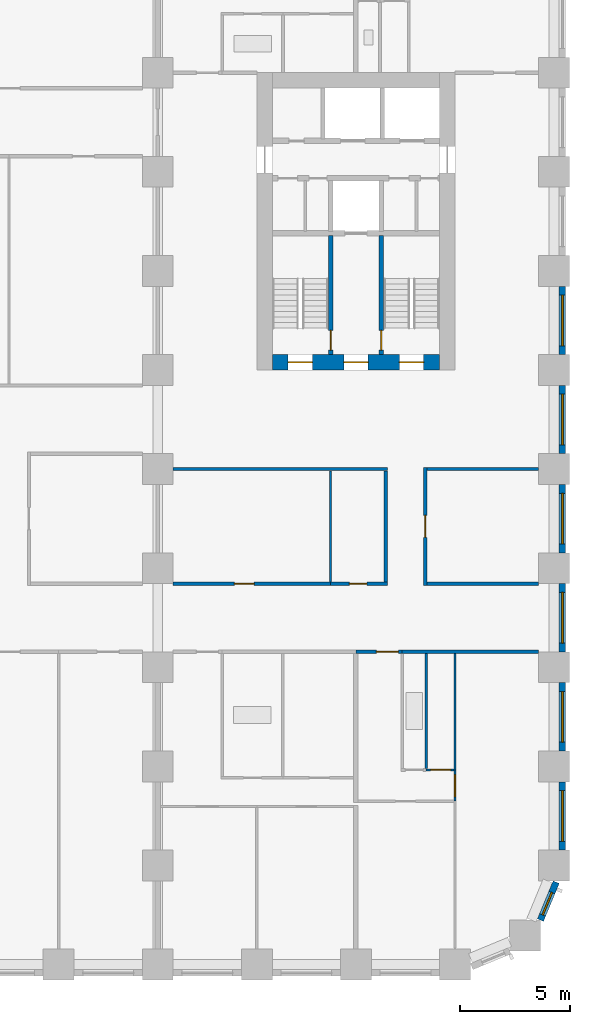
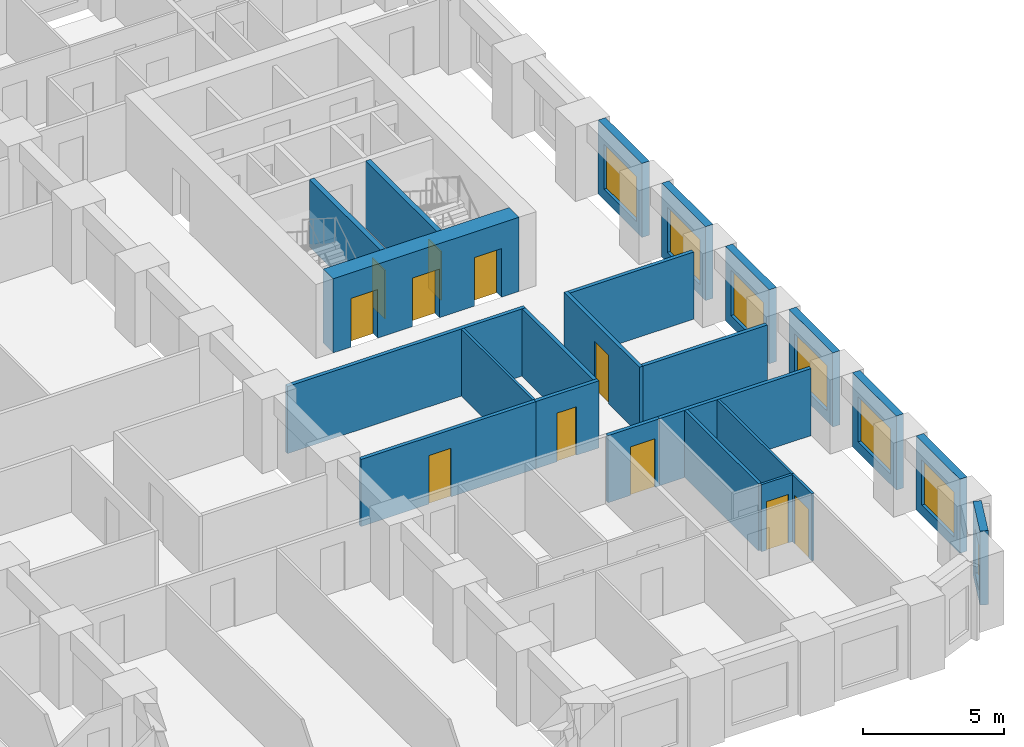
# One storey, part 5 of 12: 24 walls, 11 doors, 7 windows, 18 openings.
"""IFC4 building model written with IfcOpenShell, lengths in metres."""

import ifcopenshell
import ifcopenshell.guid

model = None  # the IFC model being written
_history = None  # IfcOwnerHistory: only IFC2X3 demands one
_inside = {}  # id of a spatial element -> (the spatial element, [elements in it])
_under = {}  # id of a project, library or spatial element -> (it, [spatial elements below it])
_declared = {}  # id of a project -> (the project, [libraries it declares])
_typed = {}  # id of a type object -> (the type object, [elements of that type])
_made_of = {}  # id of a material, layer set ... -> (it, [elements and type objects made of it])


def new_model(schema):
    """Start an empty IFC model of exactly this schema.

    Asked for "IFC4X3", IfcOpenShell would pick the latest addendum, in which some entities
    have other attributes; the version numbers below select the first issue.
    IFC2X3 requires an IfcOwnerHistory on every rooted entity: one is made here for all.
    """
    global model, _history
    if schema == "IFC4X3":
        model = ifcopenshell.file(schema_version=(4, 3, 0, 0))
    else:
        model = ifcopenshell.file(schema=schema)
    _inside.clear()
    _under.clear()
    _declared.clear()
    _typed.clear()
    _made_of.clear()
    _history = None
    if model.schema == "IFC2X3":
        org = make("IfcOrganization", Name="unknown")
        user = make(
            "IfcPersonAndOrganization",
            ThePerson=make("IfcPerson", FamilyName="unknown"),
            TheOrganization=org,
        )
        app = make(
            "IfcApplication",
            ApplicationDeveloper=org,
            Version="unknown",
            ApplicationFullName="unknown",
            ApplicationIdentifier="unknown",
        )
        _history = make(
            "IfcOwnerHistory",
            OwningUser=user,
            OwningApplication=app,
            ChangeAction="ADDED",
            CreationDate=0,
        )
    return model


def make(cls, **values):
    """One entity of the class cls with the attributes given. An attribute that is None is left unset."""
    return model.create_entity(
        cls, **{name: value for name, value in values.items() if value is not None}
    )


def rooted(cls, **values):
    """An entity with a GlobalId (a new one), such as an element, a storey or a relation."""
    return make(cls, GlobalId=ifcopenshell.guid.new(), OwnerHistory=_history, **values)


def si_unit(unit_type, name, prefix=None):
    """IfcSIUnit, for example si_unit("LENGTHUNIT", "METRE", prefix="MILLI")."""
    return make("IfcSIUnit", UnitType=unit_type, Prefix=prefix, Name=name)


def assignment(units):
    """IfcUnitAssignment: the units of a project."""
    return None if units is None else make("IfcUnitAssignment", Units=units)


def point(xyz):
    """IfcCartesianPoint."""
    return None if xyz is None else make("IfcCartesianPoint", Coordinates=xyz)


def direction(xyz):
    """IfcDirection."""
    return None if xyz is None else make("IfcDirection", DirectionRatios=xyz)


def frame(location, z_axis=None, x_axis=None):
    """IfcAxis2Placement3D, a coordinate frame: its origin and axes. An axis left out is left unset."""
    return make(
        "IfcAxis2Placement3D",
        Location=point(location),
        Axis=direction(z_axis),
        RefDirection=direction(x_axis),
    )


def frame_2d(location, x_axis=None):
    """IfcAxis2Placement2D, a coordinate frame in the plane: its origin and x axis."""
    return make(
        "IfcAxis2Placement2D", Location=point(location), RefDirection=direction(x_axis)
    )


def origin():
    """The frame at (0, 0, 0) with its axes left unset."""
    return frame((0.0, 0.0, 0.0))


def place(relative_to, where):
    """IfcLocalPlacement: puts the frame where relative to a parent placement (None: the world)."""
    return make(
        "IfcLocalPlacement", PlacementRelTo=relative_to, RelativePlacement=where
    )


def context(
    kind, dimensions, precision=None, world=None, true_north=None, identifier=None
):
    """IfcGeometricRepresentationContext, for example the 3D "Model" context."""
    return make(
        "IfcGeometricRepresentationContext",
        ContextIdentifier=identifier,
        ContextType=kind,
        CoordinateSpaceDimension=dimensions,
        Precision=precision,
        WorldCoordinateSystem=world,
        TrueNorth=true_north,
    )


def subcontext(parent, identifier, kind, view, scale=None):
    """IfcGeometricRepresentationSubContext, for example "Body" below "Model"."""
    return make(
        "IfcGeometricRepresentationSubContext",
        ContextIdentifier=identifier,
        ContextType=kind,
        ParentContext=parent,
        TargetScale=scale,
        TargetView=view,
    )


def project(units=None, contexts=None):
    """IfcProject with its units and contexts."""
    return rooted(
        "IfcProject",
        Name="project",
        RepresentationContexts=contexts,
        UnitsInContext=assignment(units),
    )


def spatial(cls, under=None, at=None, **own):
    """A site, building, storey or space (cls), placed at a placement, below another one or the project."""
    s = rooted(cls, ObjectPlacement=at, **own)
    if under is not None:
        _under.setdefault(under.id(), (under, []))[1].append(s)
    return s


def profile(cls, at=None, kind="AREA", **sizes):
    """A parametric profile (cls). Its sizes go by their IFC names, for example OverallWidth=200.0."""
    return make(cls, ProfileType=kind, Position=at, **sizes)


def rectangle(**sizes):
    """IfcRectangleProfileDef."""
    return profile("IfcRectangleProfileDef", **sizes)


def extrude(swept, where, along, depth):
    """IfcExtrudedAreaSolid: the profile swept, set in the frame where, extruded along a direction by depth."""
    return make(
        "IfcExtrudedAreaSolid",
        SweptArea=swept,
        Position=where,
        ExtrudedDirection=direction(along),
        Depth=depth,
    )


def shape(context_of_items, identifier, shape_type, items):
    """IfcShapeRepresentation: the items that make up one representation, for example the "Body"."""
    return make(
        "IfcShapeRepresentation",
        ContextOfItems=context_of_items,
        RepresentationIdentifier=identifier,
        RepresentationType=shape_type,
        Items=items,
    )


def material(Name=None, Category=None):
    """IfcMaterial."""
    return make("IfcMaterial", Name=Name, Category=Category)


def layer(
    of_material, thickness, ventilated=None, Name=None, Category=None, Priority=None
):
    """IfcMaterialLayer: one layer of a wall or slab, of a material (None: an air gap)."""
    return make(
        "IfcMaterialLayer",
        Material=of_material,
        LayerThickness=thickness,
        IsVentilated=ventilated,
        Name=Name,
        Category=Category,
        Priority=Priority,
    )


def layer_set(layers, Name=None):
    """IfcMaterialLayerSet."""
    return make("IfcMaterialLayerSet", MaterialLayers=layers, LayerSetName=Name)


def made_of(thing, what):
    """Note that an element or type object is made of a material, layer set ...; save() writes the relation."""
    if what is not None:
        _made_of.setdefault(what.id(), (what, []))[1].append(thing)
    return thing


def type_object(cls, material=None, **own):
    """A type object (cls), such as IfcWallType, which elements share."""
    return made_of(rooted(cls, **own), material)


def element(
    cls,
    number,
    at=None,
    inside=None,
    cuts=None,
    type_object=None,
    material=None,
    context=None,
    identifier="Body",
    shape_type=None,
    held_by="IfcProductDefinitionShape",
    body=None,
    shapes=None,
    **own,
):
    """One element of the class cls, such as IfcWall. Its Tag is "e" and its number.

    at: its placement. inside: the storey or other place that contains it. cuts: it is an
    opening in that element (IfcRelVoidsElement). A single representation is given by context,
    identifier, shape_type and body (its items); several are given by shapes. held_by: the class
    of the entity that holds the representations. save() writes the other relations.
    """
    e = rooted(cls, Tag="e%d" % number, ObjectPlacement=at, **own)
    if body is not None:
        shapes = [shape(context, identifier, shape_type, body)]
    if shapes is not None:
        e.Representation = make(held_by, Representations=shapes)
    if inside is not None:
        _inside.setdefault(inside.id(), (inside, []))[1].append(e)
    if cuts is not None:
        rooted(
            "IfcRelVoidsElement", RelatingBuildingElement=cuts, RelatedOpeningElement=e
        )
    if type_object is not None:
        _typed.setdefault(type_object.id(), (type_object, []))[1].append(e)
    return made_of(e, material)


def fill(opening, filler):
    """IfcRelFillsElement: the door or window that sits in an opening."""
    return rooted(
        "IfcRelFillsElement",
        RelatingOpeningElement=opening,
        RelatedBuildingElement=filler,
    )


def aggregate(whole, parts):
    """IfcRelAggregates: a whole, such as a stair, and the parts it consists of."""
    return rooted("IfcRelAggregates", RelatingObject=whole, RelatedObjects=parts)


def save(model, path):
    """Write the relations noted so far, then the file.

    IfcRelAggregates (storeys below a building ...), IfcRelContainedInSpatialStructure (elements
    in a storey), IfcRelDefinesByType, IfcRelAssociatesMaterial and IfcRelDeclares: one each for
    every whole, place, type object, material and project.
    """
    for whole, parts in _under.values():
        aggregate(whole, parts)
    for where, things in _inside.values():
        rooted(
            "IfcRelContainedInSpatialStructure",
            RelatedElements=things,
            RelatingStructure=where,
        )
    for kind, things in _typed.values():
        rooted("IfcRelDefinesByType", RelatedObjects=things, RelatingType=kind)
    for what, things in _made_of.values():
        rooted("IfcRelAssociatesMaterial", RelatedObjects=things, RelatingMaterial=what)
    for by, libraries in _declared.values():
        rooted("IfcRelDeclares", RelatingContext=by, RelatedDefinitions=libraries)
    model.write(path)


model = new_model("IFC4")

# Units and contexts
model_context = context("Model", 3, precision=1e-05, world=origin(), true_north=direction((0.0, 1.0)))
body_context = subcontext(model_context, "Body", "Model", "MODEL_VIEW")
ifc_project = project(units=[si_unit("LENGTHUNIT", "METRE"), si_unit("AREAUNIT", "SQUARE_METRE"), si_unit("VOLUMEUNIT", "CUBIC_METRE"), si_unit("PLANEANGLEUNIT", "RADIAN"), si_unit("MASSUNIT", "GRAM", prefix="KILO")], contexts=[model_context])

# Site, building, storey
site_placement = place(None, origin())
site = spatial("IfcSite", under=ifc_project, at=site_placement, CompositionType="ELEMENT")
building_placement = place(site_placement, origin())
building = spatial("IfcBuilding", under=site, at=building_placement, Name="Girih Gate Residences", CompositionType="ELEMENT")
storey_placement = place(building_placement, frame((0.0, 0.0, 30.39990234375)))
storey = spatial("IfcBuildingStorey", under=building, at=storey_placement, Name="L06", CompositionType="ELEMENT", Elevation=30.39990234375)

# Wall
ifc_material_1 = material(Name="Gypsum board on steel studs", Category="steel")
ifc_layer_1 = layer(ifc_material_1, 0.14990234375)
ifc_layer_set_1 = layer_set([ifc_layer_1], Name="Compartment wall 150 mm")
wall_type_1 = type_object("IfcWallType", Name="Compartment wall 150 mm", PredefinedType="PARTITIONING", material=ifc_layer_set_1)
wall_1_placement = place(storey_placement, frame((42.60009765625, 14.199951171875, 0.0), z_axis=(0.0, 0.0, 1.0), x_axis=(1.0, 0.0, 0.0)))
element("IfcWall", 1, at=wall_1_placement, inside=storey, type_object=wall_type_1, Name="L06 partition", PredefinedType="PARTITIONING", context=body_context, shape_type="SweptSolid", body=[
    extrude(rectangle(XDim=6.199951171875, YDim=0.14990234375, at=frame_2d((3.10009765625, 0.0))), origin(), (0.0, 0.0, 1.0), 2.900146484375),
])

# Wall, opening, door
wall_2_placement = place(storey_placement, frame((42.60009765625, 14.199951171875, 0.0), z_axis=(0.0, 0.0, 1.0), x_axis=(-1.0, 0.0, 0.0)))
wall_2 = element("IfcWall", 2, at=wall_2_placement, inside=storey, type_object=wall_type_1, Name="L06 partition", PredefinedType="PARTITIONING", context=body_context, shape_type="SweptSolid", body=[
    extrude(rectangle(XDim=2.10009765625, YDim=0.14990234375, at=frame_2d((1.050048828125, 0.0))), origin(), (0.0, 0.0, 1.0), 2.900146484375),
])
opening_1_placement = place(wall_2_placement, frame((0.175048828125, 0.0, 0.0)))
opening_1 = element("IfcOpeningElement", 3, at=opening_1_placement, cuts=wall_2, Name="Opening A06-019", PredefinedType="OPENING", context=body_context, shape_type="SweptSolid", body=[
    extrude(rectangle(XDim=1.0, YDim=2.10009765625, at=frame_2d((0.5, 1.050048828125))), frame((0.0, 0.0849609375, 0.0), z_axis=(0.0, -1.0, 0.0), x_axis=(1.0, 0.0, 0.0)), (0.0, 0.0, 1.0), 0.169921875),
])
ifc_material_2 = material(Name="Timber, fire-rated core", Category="wood")
door_type_1 = type_object("IfcDoorType", Name="Flat entrance door 1000x2100 FD30S", OperationType="NOTDEFINED", PredefinedType="DOOR", material=ifc_material_2)
door_1_placement = place(opening_1_placement, origin())
door_1 = element("IfcDoor", 4, at=door_1_placement, inside=storey, type_object=door_type_1, Name="Door A06-019", OperationType="SINGLE_SWING_LEFT", OverallHeight=2.10009765625, OverallWidth=1.0, PredefinedType="DOOR", context=body_context, shape_type="SweptSolid", body=[
    extrude(rectangle(XDim=1.0, YDim=2.10009765625, at=frame_2d((0.5, 1.050048828125))), frame((0.0, 0.02490234375, 0.0), z_axis=(0.0, -1.0, 0.0), x_axis=(1.0, 0.0, 0.0)), (0.0, 0.0, 1.0), 0.050048828125),
])
fill(opening_1, door_1)

wall_3_placement = place(storey_placement, frame((32.199951171875, 17.300048828125, 0.0), z_axis=(0.0, 0.0, 1.0), x_axis=(1.0, 0.0, 0.0)))
wall_3 = element("IfcWall", 5, at=wall_3_placement, inside=storey, type_object=wall_type_1, Name="L06 partition", PredefinedType="PARTITIONING", context=body_context, shape_type="SweptSolid", body=[
    extrude(rectangle(XDim=7.150146484375, YDim=0.14990234375, at=frame_2d((3.5751953125, 0.0))), origin(), (0.0, 0.0, 1.0), 2.900146484375),
])
opening_2_placement = place(wall_3_placement, frame((2.77490234375, 0.0, 0.0)))
opening_2 = element("IfcOpeningElement", 6, at=opening_2_placement, cuts=wall_3, Name="Opening A06-045", PredefinedType="OPENING", context=body_context, shape_type="SweptSolid", body=[
    extrude(rectangle(XDim=0.89990234375, YDim=2.10009765625, at=frame_2d((0.449951171875, 1.050048828125))), frame((0.0, 0.0849609375, 0.0), z_axis=(0.0, -1.0, 0.0), x_axis=(1.0, 0.0, 0.0)), (0.0, 0.0, 1.0), 0.169921875),
])
ifc_material_3 = material(Name="Timber", Category="wood")
door_type_2 = type_object("IfcDoorType", Name="Service room door 900x2100", OperationType="NOTDEFINED", PredefinedType="DOOR", material=ifc_material_3)
door_2_placement = place(opening_2_placement, origin())
door_2 = element("IfcDoor", 7, at=door_2_placement, inside=storey, type_object=door_type_2, Name="Door A06-045", OperationType="SINGLE_SWING_LEFT", OverallHeight=2.10009765625, OverallWidth=0.89990234375, PredefinedType="DOOR", context=body_context, shape_type="SweptSolid", body=[
    extrude(rectangle(XDim=0.89990234375, YDim=2.10009765625, at=frame_2d((0.449951171875, 1.050048828125))), frame((0.0, 0.02490234375, 0.0), z_axis=(0.0, -1.0, 0.0), x_axis=(1.0, 0.0, 0.0)), (0.0, 0.0, 1.0), 0.050048828125),
])
fill(opening_2, door_2)

wall_4_placement = place(storey_placement, frame((39.35009765625, 17.300048828125, 0.0), z_axis=(0.0, 0.0, 1.0), x_axis=(1.0, 0.0, 0.0)))
wall_4 = element("IfcWall", 8, at=wall_4_placement, inside=storey, type_object=wall_type_1, Name="L06 partition", PredefinedType="PARTITIONING", context=body_context, shape_type="SweptSolid", body=[
    extrude(rectangle(XDim=2.574951171875, YDim=0.14990234375, at=frame_2d((1.28759765625, 0.0))), origin(), (0.0, 0.0, 1.0), 2.900146484375),
])
opening_3_placement = place(wall_4_placement, frame((0.85009765625, 0.0, 0.0)))
opening_3 = element("IfcOpeningElement", 9, at=opening_3_placement, cuts=wall_4, Name="Opening A06-047", PredefinedType="OPENING", context=body_context, shape_type="SweptSolid", body=[
    extrude(rectangle(XDim=0.800048828125, YDim=2.10009765625, at=frame_2d((0.39990234375, 1.050048828125))), frame((0.0, 0.0849609375, 0.0), z_axis=(0.0, -1.0, 0.0), x_axis=(1.0, 0.0, 0.0)), (0.0, 0.0, 1.0), 0.169921875),
])
door_type_3 = type_object("IfcDoorType", Name="Bathroom door 800x2100", OperationType="NOTDEFINED", PredefinedType="DOOR", material=ifc_material_3)
door_3_placement = place(opening_3_placement, origin())
door_3 = element("IfcDoor", 10, at=door_3_placement, inside=storey, type_object=door_type_3, Name="Door A06-047", OperationType="SINGLE_SWING_LEFT", OverallHeight=2.10009765625, OverallWidth=0.800048828125, PredefinedType="DOOR", context=body_context, shape_type="SweptSolid", body=[
    extrude(rectangle(XDim=0.800048828125, YDim=2.10009765625, at=frame_2d((0.39990234375, 1.050048828125))), frame((0.0, 0.02490234375, 0.0), z_axis=(0.0, -1.0, 0.0), x_axis=(1.0, 0.0, 0.0)), (0.0, 0.0, 1.0), 0.050048828125),
])
fill(opening_3, door_3)

# Walls
wall_5_placement = place(storey_placement, frame((43.72509765625, 17.300048828125, 0.0), z_axis=(0.0, 0.0, 1.0), x_axis=(1.0, 0.0, 0.0)))
element("IfcWall", 11, at=wall_5_placement, inside=storey, type_object=wall_type_1, Name="L06 partition", PredefinedType="PARTITIONING", context=body_context, shape_type="SweptSolid", body=[
    extrude(rectangle(XDim=5.074951171875, YDim=0.14990234375, at=frame_2d((2.53759765625, 0.0))), origin(), (0.0, 0.0, 1.0), 2.900146484375),
])
wall_6_placement = place(storey_placement, frame((32.199951171875, 22.5, 0.0), z_axis=(0.0, 0.0, 1.0), x_axis=(1.0, 0.0, 0.0)))
element("IfcWall", 12, at=wall_6_placement, inside=storey, type_object=wall_type_1, Name="L06 partition", PredefinedType="PARTITIONING", context=body_context, shape_type="SweptSolid", body=[
    extrude(rectangle(XDim=9.72509765625, YDim=0.14990234375, at=frame_2d((4.862548828125, 0.0))), origin(), (0.0, 0.0, 1.0), 2.900146484375),
])
wall_7_placement = place(storey_placement, frame((43.72509765625, 22.5, 0.0), z_axis=(0.0, 0.0, 1.0), x_axis=(1.0, 0.0, 0.0)))
element("IfcWall", 13, at=wall_7_placement, inside=storey, type_object=wall_type_1, Name="L06 partition", PredefinedType="PARTITIONING", context=body_context, shape_type="SweptSolid", body=[
    extrude(rectangle(XDim=5.074951171875, YDim=0.14990234375, at=frame_2d((2.53759765625, 0.0))), origin(), (0.0, 0.0, 1.0), 2.900146484375),
])
wall_8_placement = place(storey_placement, frame((41.85009765625, 17.375, 0.0), z_axis=(0.0, 0.0, 1.0), x_axis=(0.0, 1.0, 0.0)))
element("IfcWall", 14, at=wall_8_placement, inside=storey, type_object=wall_type_1, Name="L06 partition", PredefinedType="PARTITIONING", context=body_context, shape_type="SweptSolid", body=[
    extrude(rectangle(XDim=5.050048828125, YDim=0.14990234375, at=frame_2d((2.52490234375, 0.0))), origin(), (0.0, 0.0, 1.0), 2.900146484375),
])

# Wall, opening, door
wall_9_placement = place(storey_placement, frame((43.64990234375, 22.574951171875, 0.0), z_axis=(0.0, 0.0, 1.0), x_axis=(0.0, -1.0, 0.0)))
wall_9 = element("IfcWall", 15, at=wall_9_placement, inside=storey, type_object=wall_type_1, Name="L06 partition", PredefinedType="PARTITIONING", context=body_context, shape_type="SweptSolid", body=[
    extrude(rectangle(XDim=5.349853515625, YDim=0.14990234375, at=frame_2d((2.6748046875, 0.0))), origin(), (0.0, 0.0, 1.0), 2.900146484375),
])
opening_4_placement = place(wall_9_placement, frame((2.175048828125, 0.0, 0.0)))
opening_4 = element("IfcOpeningElement", 16, at=opening_4_placement, cuts=wall_9, Name="Opening A06-049", PredefinedType="OPENING", context=body_context, shape_type="SweptSolid", body=[
    extrude(rectangle(XDim=1.0, YDim=2.10009765625, at=frame_2d((0.5, 1.050048828125))), frame((0.0, 0.0849609375, 0.0), z_axis=(0.0, -1.0, 0.0), x_axis=(1.0, 0.0, 0.0)), (0.0, 0.0, 1.0), 0.169921875),
])
door_type_4 = type_object("IfcDoorType", Name="Amenity room door 1000x2100 FD30S", OperationType="NOTDEFINED", PredefinedType="DOOR", material=ifc_material_2)
door_4_placement = place(opening_4_placement, origin())
door_4 = element("IfcDoor", 17, at=door_4_placement, inside=storey, type_object=door_type_4, Name="Door A06-049", OperationType="SINGLE_SWING_RIGHT", OverallHeight=2.10009765625, OverallWidth=1.0, PredefinedType="DOOR", context=body_context, shape_type="SweptSolid", body=[
    extrude(rectangle(XDim=1.0, YDim=2.10009765625, at=frame_2d((0.5, 1.050048828125))), frame((0.0, 0.02490234375, 0.0), z_axis=(0.0, -1.0, 0.0), x_axis=(1.0, 0.0, 0.0)), (0.0, 0.0, 1.0), 0.050048828125),
])
fill(opening_4, door_4)

# Wall, openings, doors
ifc_material_4 = material(Name="Concrete C60/75", Category="concrete")
ifc_layer_2 = layer(ifc_material_4, 0.699951171875)
ifc_layer_set_2 = layer_set([ifc_layer_2], Name="Core wall RC 700 Concrete C60/75")
wall_type_2 = type_object("IfcWallType", Name="Core wall RC 700 Concrete C60/75", PredefinedType="SOLIDWALL", material=ifc_layer_set_2)
wall_10_placement = place(storey_placement, frame((36.699951171875, 27.35009765625, 0.0), z_axis=(0.0, 0.0, 1.0), x_axis=(1.0, 0.0, 0.0)))
wall_10 = element("IfcWall", 18, at=wall_10_placement, inside=storey, type_object=wall_type_2, Name="Core wall E-S L06", PredefinedType="SOLIDWALL", context=body_context, shape_type="SweptSolid", body=[
    extrude(rectangle(XDim=7.60009765625, YDim=0.699951171875, at=frame_2d((3.800048828125, 0.0))), origin(), (0.0, 0.0, 1.0), 3.2001953125),
])
opening_5_placement = place(wall_10_placement, frame((5.77490234375, 0.0, 0.0)))
opening_5 = element("IfcOpeningElement", 19, at=opening_5_placement, cuts=wall_10, Name="Opening D-L06-E-011", PredefinedType="OPENING", context=body_context, shape_type="SweptSolid", body=[
    extrude(rectangle(XDim=1.10009765625, YDim=2.10009765625, at=frame_2d((0.550048828125, 1.050048828125))), frame((0.0, 0.35986328125, 0.0), z_axis=(0.0, -1.0, 0.0), x_axis=(1.0, 0.0, 0.0)), (0.0, 0.0, 1.0), 0.719970703125),
])
opening_6_placement = place(wall_10_placement, frame((3.25, 0.0, 0.0)))
opening_6 = element("IfcOpeningElement", 20, at=opening_6_placement, cuts=wall_10, Name="Opening D-L06-E-012", PredefinedType="OPENING", context=body_context, shape_type="SweptSolid", body=[
    extrude(rectangle(XDim=1.10009765625, YDim=2.10009765625, at=frame_2d((0.550048828125, 1.050048828125))), frame((0.0, 0.35986328125, 0.0), z_axis=(0.0, -1.0, 0.0), x_axis=(1.0, 0.0, 0.0)), (0.0, 0.0, 1.0), 0.719970703125),
])
opening_7_placement = place(wall_10_placement, frame((0.72509765625, 0.0, 0.0)))
opening_7 = element("IfcOpeningElement", 21, at=opening_7_placement, cuts=wall_10, Name="Opening D-L06-E-013", PredefinedType="OPENING", context=body_context, shape_type="SweptSolid", body=[
    extrude(rectangle(XDim=1.10009765625, YDim=2.10009765625, at=frame_2d((0.550048828125, 1.050048828125))), frame((0.0, 0.35986328125, 0.0), z_axis=(0.0, -1.0, 0.0), x_axis=(1.0, 0.0, 0.0)), (0.0, 0.0, 1.0), 0.719970703125),
])
ifc_material_5 = material(Name="Painted steel, fire-resisting", Category="steel")
door_type_5 = type_object("IfcDoorType", Name="Fire door 1100x2100", OperationType="SINGLE_SWING_LEFT", PredefinedType="DOOR", material=ifc_material_5)
door_5_placement = place(opening_5_placement, origin())
door_5 = element("IfcDoor", 22, at=door_5_placement, inside=storey, type_object=door_type_5, Name="L06 E core door sta-out", OperationType="SINGLE_SWING_LEFT", OverallHeight=2.10009765625, OverallWidth=1.10009765625, PredefinedType="DOOR", context=body_context, shape_type="SweptSolid", body=[
    extrude(rectangle(XDim=1.10009765625, YDim=2.10009765625, at=frame_2d((0.550048828125, 1.050048828125))), frame((0.0, 0.02490234375, 0.0), z_axis=(0.0, -1.0, 0.0), x_axis=(1.0, 0.0, 0.0)), (0.0, 0.0, 1.0), 0.050048828125),
])
fill(opening_5, door_5)
door_6_placement = place(opening_6_placement, origin())
door_6 = element("IfcDoor", 23, at=door_6_placement, inside=storey, type_object=door_type_5, Name="L06 E core door ffl-out", OperationType="SINGLE_SWING_LEFT", OverallHeight=2.10009765625, OverallWidth=1.10009765625, PredefinedType="DOOR", context=body_context, shape_type="SweptSolid", body=[
    extrude(rectangle(XDim=1.10009765625, YDim=2.10009765625, at=frame_2d((0.550048828125, 1.050048828125))), frame((0.0, 0.02490234375, 0.0), z_axis=(0.0, -1.0, 0.0), x_axis=(1.0, 0.0, 0.0)), (0.0, 0.0, 1.0), 0.050048828125),
])
fill(opening_6, door_6)
door_7_placement = place(opening_7_placement, origin())
door_7 = element("IfcDoor", 24, at=door_7_placement, inside=storey, type_object=door_type_5, Name="L06 E core door stb-out", OperationType="SINGLE_SWING_LEFT", OverallHeight=2.10009765625, OverallWidth=1.10009765625, PredefinedType="DOOR", context=body_context, shape_type="SweptSolid", body=[
    extrude(rectangle(XDim=1.10009765625, YDim=2.10009765625, at=frame_2d((0.550048828125, 1.050048828125))), frame((0.0, 0.02490234375, 0.0), z_axis=(0.0, -1.0, 0.0), x_axis=(1.0, 0.0, 0.0)), (0.0, 0.0, 1.0), 0.050048828125),
])
fill(opening_7, door_7)

# Wall, opening, door
ifc_layer_3 = layer(ifc_material_1, 0.10009765625)
ifc_layer_set_3 = layer_set([ifc_layer_3], Name="Partition 100 mm")
wall_type_3 = type_object("IfcWallType", Name="Partition 100 mm", PredefinedType="PARTITIONING", material=ifc_layer_set_3)
wall_11_placement = place(storey_placement, frame((43.69091796875, 8.840087890625, 0.0), z_axis=(0.0, 0.0, 1.0), x_axis=(1.0, 0.0, 0.0)))
wall_11 = element("IfcWall", 25, at=wall_11_placement, inside=storey, type_object=wall_type_3, Name="L06 partition", PredefinedType="PARTITIONING", context=body_context, shape_type="SweptSolid", body=[
    extrude(rectangle(XDim=1.259033203125, YDim=0.10009765625, at=frame_2d((0.62939453125, 0.0))), origin(), (0.0, 0.0, 1.0), 2.900146484375),
])
opening_8_placement = place(wall_11_placement, frame((0.20458984375, 0.0, 0.0)))
opening_8 = element("IfcOpeningElement", 26, at=opening_8_placement, cuts=wall_11, Name="Opening A06-017", PredefinedType="OPENING", context=body_context, shape_type="SweptSolid", body=[
    extrude(rectangle(XDim=0.89990234375, YDim=2.10009765625, at=frame_2d((0.449951171875, 1.050048828125))), frame((0.0, 0.06005859375, 0.0), z_axis=(0.0, -1.0, 0.0), x_axis=(1.0, 0.0, 0.0)), (0.0, 0.0, 1.0), 0.1201171875),
])
door_type_6 = type_object("IfcDoorType", Name="Kitchen door 900x2100", OperationType="NOTDEFINED", PredefinedType="DOOR", material=ifc_material_3)
door_8_placement = place(opening_8_placement, origin())
door_8 = element("IfcDoor", 27, at=door_8_placement, inside=storey, type_object=door_type_6, Name="Door A06-017", OperationType="SINGLE_SWING_RIGHT", OverallHeight=2.10009765625, OverallWidth=0.89990234375, PredefinedType="DOOR", context=body_context, shape_type="SweptSolid", body=[
    extrude(rectangle(XDim=0.89990234375, YDim=2.10009765625, at=frame_2d((0.449951171875, 1.050048828125))), frame((0.0, 0.02490234375, 0.0), z_axis=(0.0, -1.0, 0.0), x_axis=(1.0, 0.0, 0.0)), (0.0, 0.0, 1.0), 0.050048828125),
])
fill(opening_8, door_8)

wall_12_placement = place(storey_placement, frame((45.0, 8.840087890625, 0.0), z_axis=(0.0, 0.0, 1.0), x_axis=(0.0, -1.0, 0.0)))
wall_12 = element("IfcWall", 28, at=wall_12_placement, inside=storey, type_object=wall_type_3, Name="L06 partition", PredefinedType="PARTITIONING", context=body_context, shape_type="SweptSolid", body=[
    extrude(rectangle(XDim=1.420166015625, YDim=0.10009765625, at=frame_2d((0.7099609375, 0.0))), origin(), (0.0, 0.0, 1.0), 2.900146484375),
])
opening_9_placement = place(wall_12_placement, frame((0.2099609375, 0.0, 0.0)))
opening_9 = element("IfcOpeningElement", 29, at=opening_9_placement, cuts=wall_12, Name="Opening A06-018", PredefinedType="OPENING", context=body_context, shape_type="SweptSolid", body=[
    extrude(rectangle(XDim=1.0, YDim=2.10009765625, at=frame_2d((0.5, 1.050048828125))), frame((0.0, 0.06005859375, 0.0), z_axis=(0.0, -1.0, 0.0), x_axis=(1.0, 0.0, 0.0)), (0.0, 0.0, 1.0), 0.1201171875),
])
door_type_7 = type_object("IfcDoorType", Name="Living room door 1000x2100", OperationType="NOTDEFINED", PredefinedType="DOOR", material=ifc_material_3)
door_9_placement = place(opening_9_placement, origin())
door_9 = element("IfcDoor", 30, at=door_9_placement, inside=storey, type_object=door_type_7, Name="Door A06-018", OperationType="SINGLE_SWING_RIGHT", OverallHeight=2.10009765625, OverallWidth=1.0, PredefinedType="DOOR", context=body_context, shape_type="SweptSolid", body=[
    extrude(rectangle(XDim=1.0, YDim=2.10009765625, at=frame_2d((0.5, 1.050048828125))), frame((0.0, 0.02490234375, 0.0), z_axis=(0.0, -1.0, 0.0), x_axis=(1.0, 0.0, 0.0)), (0.0, 0.0, 1.0), 0.050048828125),
])
fill(opening_9, door_9)

# Walls
wall_13_placement = place(storey_placement, frame((45.0, 8.840087890625, 0.0), z_axis=(0.0, 0.0, 1.0), x_axis=(0.0, 1.0, 0.0)))
element("IfcWall", 31, at=wall_13_placement, inside=storey, type_object=wall_type_3, Name="L06 partition", PredefinedType="PARTITIONING", context=body_context, shape_type="SweptSolid", body=[
    extrude(rectangle(XDim=5.284912109375, YDim=0.10009765625, at=frame_2d((2.642578125, 0.0))), origin(), (0.0, 0.0, 1.0), 2.900146484375),
])
wall_14_placement = place(storey_placement, frame((39.35009765625, 17.375, 0.0), z_axis=(0.0, 0.0, 1.0), x_axis=(0.0, 1.0, 0.0)))
element("IfcWall", 32, at=wall_14_placement, inside=storey, type_object=wall_type_3, Name="L06 partition", PredefinedType="PARTITIONING", context=body_context, shape_type="SweptSolid", body=[
    extrude(rectangle(XDim=5.050048828125, YDim=0.10009765625, at=frame_2d((2.52490234375, 0.0))), origin(), (0.0, 0.0, 1.0), 2.900146484375),
])

# Wall, opening, window
ifc_material_6 = material(Name="Precast concrete C50/60", Category="concrete")
ifc_layer_4 = layer(ifc_material_6, 0.080078125, Name="Outer leaf")
ifc_material_7 = material(Name="Rigid PIR insulation")
ifc_layer_5 = layer(ifc_material_7, 0.14990234375, Name="Insulation")
ifc_material_8 = material(Name="Precast concrete C40/50", Category="concrete")
ifc_layer_6 = layer(ifc_material_8, 0.070068359375, Name="Inner leaf")
ifc_layer_set_4 = layer_set([ifc_layer_4, ifc_layer_5, ifc_layer_6], Name="Precast concrete C50/60 external wall 300")
wall_type_4 = type_object("IfcWallType", Name="Precast concrete C50/60 external wall 300", PredefinedType="SOLIDWALL", material=ifc_layer_set_4)
wall_15_placement = place(storey_placement, frame((49.59228515625, 3.74267578125, 0.0), z_axis=(0.0, 0.0, 1.0), x_axis=(-0.382737135771, -0.923857286003, 0.0)))
wall_15 = element("IfcWall", 33, at=wall_15_placement, inside=storey, type_object=wall_type_4, Name="External wall SE0482_0013.0", PredefinedType="SOLIDWALL", context=body_context, shape_type="SweptSolid", body=[
    extrude(rectangle(XDim=1.865234375, YDim=0.300048828125, at=frame_2d((0.9326171875, 0.0))), origin(), (0.0, 0.0, 1.0), 3.2001953125),
])
opening_10_placement = place(wall_15_placement, frame((0.507568359375, 0.0, 0.449951171875)))
opening_10 = element("IfcOpeningElement", 34, at=opening_10_placement, cuts=wall_15, Name="Opening W-2C", PredefinedType="OPENING", context=body_context, shape_type="SweptSolid", body=[
    extrude(rectangle(XDim=1.10009765625, YDim=1.949951171875, at=frame_2d((0.550048828125, 0.97509765625))), frame((0.0, 0.159912109375, 0.0), z_axis=(0.0, -1.0, 0.0), x_axis=(1.0, 0.0, 0.0)), (0.0, 0.0, 1.0), 0.320068359375),
])
ifc_material_9 = material(Name="Double glazing in aluminium frame", Category="aluminium")
window_type_1 = type_object("IfcWindowType", Name="Window W-2C 1100x1950", PartitioningType="SINGLE_PANEL", PredefinedType="WINDOW", material=ifc_material_9)
window_1_placement = place(opening_10_placement, origin())
window_1 = element("IfcWindow", 35, at=window_1_placement, inside=storey, type_object=window_type_1, Name="Window W-2C SE0482_0013.0", OverallHeight=1.949951171875, OverallWidth=1.10009765625, PartitioningType="SINGLE_PANEL", PredefinedType="WINDOW", context=body_context, shape_type="SweptSolid", body=[
    extrude(rectangle(XDim=1.10009765625, YDim=1.949951171875, at=frame_2d((0.550048828125, 0.97509765625))), frame((0.0, 0.030029296875, 0.0), z_axis=(0.0, -1.0, 0.0), x_axis=(1.0, 0.0, 0.0)), (0.0, 0.0, 1.0), 0.06005859375),
])
fill(opening_10, window_1)

wall_16_placement = place(storey_placement, frame((49.875, 8.300048828125, 0.0), z_axis=(0.0, 0.0, 1.0), x_axis=(0.0, -1.0, 0.0)))
wall_16 = element("IfcWall", 36, at=wall_16_placement, inside=storey, type_object=wall_type_4, Name="External wall E0495_0045.0", PredefinedType="SOLIDWALL", context=body_context, shape_type="SweptSolid", body=[
    extrude(rectangle(XDim=3.10009765625, YDim=0.300048828125, at=frame_2d((1.550048828125, 0.0))), origin(), (0.0, 0.0, 1.0), 3.2001953125),
])
opening_11_placement = place(wall_16_placement, frame((0.39990234375, 0.0, 0.449951171875)))
opening_11 = element("IfcOpeningElement", 37, at=opening_11_placement, cuts=wall_16, Name="Opening W-1", PredefinedType="OPENING", context=body_context, shape_type="SweptSolid", body=[
    extrude(rectangle(XDim=2.300048828125, YDim=1.949951171875, at=frame_2d((1.14990234375, 0.97509765625))), frame((0.0, 0.159912109375, 0.0), z_axis=(0.0, -1.0, 0.0), x_axis=(1.0, 0.0, 0.0)), (0.0, 0.0, 1.0), 0.320068359375),
])
window_type_2 = type_object("IfcWindowType", Name="Window W-1 2300x1950", PartitioningType="SINGLE_PANEL", PredefinedType="WINDOW", material=ifc_material_9)
window_2_placement = place(opening_11_placement, origin())
window_2 = element("IfcWindow", 38, at=window_2_placement, inside=storey, type_object=window_type_2, Name="Window W-1 E0495_0045.0", OverallHeight=1.949951171875, OverallWidth=2.300048828125, PartitioningType="SINGLE_PANEL", PredefinedType="WINDOW", context=body_context, shape_type="SweptSolid", body=[
    extrude(rectangle(XDim=2.300048828125, YDim=1.949951171875, at=frame_2d((1.14990234375, 0.97509765625))), frame((0.0, 0.030029296875, 0.0), z_axis=(0.0, -1.0, 0.0), x_axis=(1.0, 0.0, 0.0)), (0.0, 0.0, 1.0), 0.06005859375),
])
fill(opening_11, window_2)

wall_17_placement = place(storey_placement, frame((49.875, 12.800048828125, 0.0), z_axis=(0.0, 0.0, 1.0), x_axis=(0.0, -1.0, 0.0)))
wall_17 = element("IfcWall", 39, at=wall_17_placement, inside=storey, type_object=wall_type_4, Name="External wall E0495_0045.1", PredefinedType="SOLIDWALL", context=body_context, shape_type="SweptSolid", body=[
    extrude(rectangle(XDim=3.10009765625, YDim=0.300048828125, at=frame_2d((1.550048828125, 0.0))), origin(), (0.0, 0.0, 1.0), 3.2001953125),
])
opening_12_placement = place(wall_17_placement, frame((0.39990234375, 0.0, 0.449951171875)))
opening_12 = element("IfcOpeningElement", 40, at=opening_12_placement, cuts=wall_17, Name="Opening W-1", PredefinedType="OPENING", context=body_context, shape_type="SweptSolid", body=[
    extrude(rectangle(XDim=2.300048828125, YDim=1.949951171875, at=frame_2d((1.14990234375, 0.97509765625))), frame((0.0, 0.159912109375, 0.0), z_axis=(0.0, -1.0, 0.0), x_axis=(1.0, 0.0, 0.0)), (0.0, 0.0, 1.0), 0.320068359375),
])
window_3_placement = place(opening_12_placement, origin())
window_3 = element("IfcWindow", 41, at=window_3_placement, inside=storey, type_object=window_type_2, Name="Window W-1 E0495_0045.1", OverallHeight=1.949951171875, OverallWidth=2.300048828125, PartitioningType="SINGLE_PANEL", PredefinedType="WINDOW", context=body_context, shape_type="SweptSolid", body=[
    extrude(rectangle(XDim=2.300048828125, YDim=1.949951171875, at=frame_2d((1.14990234375, 0.97509765625))), frame((0.0, 0.030029296875, 0.0), z_axis=(0.0, -1.0, 0.0), x_axis=(1.0, 0.0, 0.0)), (0.0, 0.0, 1.0), 0.06005859375),
])
fill(opening_12, window_3)

wall_18_placement = place(storey_placement, frame((49.875, 17.300048828125, 0.0), z_axis=(0.0, 0.0, 1.0), x_axis=(0.0, -1.0, 0.0)))
wall_18 = element("IfcWall", 42, at=wall_18_placement, inside=storey, type_object=wall_type_4, Name="External wall E0495_0045.2", PredefinedType="SOLIDWALL", context=body_context, shape_type="SweptSolid", body=[
    extrude(rectangle(XDim=3.10009765625, YDim=0.300048828125, at=frame_2d((1.550048828125, 0.0))), origin(), (0.0, 0.0, 1.0), 3.2001953125),
])
opening_13_placement = place(wall_18_placement, frame((0.39990234375, 0.0, 0.449951171875)))
opening_13 = element("IfcOpeningElement", 43, at=opening_13_placement, cuts=wall_18, Name="Opening W-1", PredefinedType="OPENING", context=body_context, shape_type="SweptSolid", body=[
    extrude(rectangle(XDim=2.300048828125, YDim=1.949951171875, at=frame_2d((1.14990234375, 0.97509765625))), frame((0.0, 0.159912109375, 0.0), z_axis=(0.0, -1.0, 0.0), x_axis=(1.0, 0.0, 0.0)), (0.0, 0.0, 1.0), 0.320068359375),
])
window_4_placement = place(opening_13_placement, origin())
window_4 = element("IfcWindow", 44, at=window_4_placement, inside=storey, type_object=window_type_2, Name="Window W-1 E0495_0045.2", OverallHeight=1.949951171875, OverallWidth=2.300048828125, PartitioningType="SINGLE_PANEL", PredefinedType="WINDOW", context=body_context, shape_type="SweptSolid", body=[
    extrude(rectangle(XDim=2.300048828125, YDim=1.949951171875, at=frame_2d((1.14990234375, 0.97509765625))), frame((0.0, 0.030029296875, 0.0), z_axis=(0.0, -1.0, 0.0), x_axis=(1.0, 0.0, 0.0)), (0.0, 0.0, 1.0), 0.06005859375),
])
fill(opening_13, window_4)

wall_19_placement = place(storey_placement, frame((49.875, 21.800048828125, 0.0), z_axis=(0.0, 0.0, 1.0), x_axis=(0.0, -1.0, 0.0)))
wall_19 = element("IfcWall", 45, at=wall_19_placement, inside=storey, type_object=wall_type_4, Name="External wall E0495_0045.3", PredefinedType="SOLIDWALL", context=body_context, shape_type="SweptSolid", body=[
    extrude(rectangle(XDim=3.10009765625, YDim=0.300048828125, at=frame_2d((1.550048828125, 0.0))), origin(), (0.0, 0.0, 1.0), 3.2001953125),
])
opening_14_placement = place(wall_19_placement, frame((0.39990234375, 0.0, 0.449951171875)))
opening_14 = element("IfcOpeningElement", 46, at=opening_14_placement, cuts=wall_19, Name="Opening W-1", PredefinedType="OPENING", context=body_context, shape_type="SweptSolid", body=[
    extrude(rectangle(XDim=2.300048828125, YDim=1.949951171875, at=frame_2d((1.14990234375, 0.97509765625))), frame((0.0, 0.159912109375, 0.0), z_axis=(0.0, -1.0, 0.0), x_axis=(1.0, 0.0, 0.0)), (0.0, 0.0, 1.0), 0.320068359375),
])
window_5_placement = place(opening_14_placement, origin())
window_5 = element("IfcWindow", 47, at=window_5_placement, inside=storey, type_object=window_type_2, Name="Window W-1 E0495_0045.3", OverallHeight=1.949951171875, OverallWidth=2.300048828125, PartitioningType="SINGLE_PANEL", PredefinedType="WINDOW", context=body_context, shape_type="SweptSolid", body=[
    extrude(rectangle(XDim=2.300048828125, YDim=1.949951171875, at=frame_2d((1.14990234375, 0.97509765625))), frame((0.0, 0.030029296875, 0.0), z_axis=(0.0, -1.0, 0.0), x_axis=(1.0, 0.0, 0.0)), (0.0, 0.0, 1.0), 0.06005859375),
])
fill(opening_14, window_5)

wall_20_placement = place(storey_placement, frame((49.875, 26.300048828125, 0.0), z_axis=(0.0, 0.0, 1.0), x_axis=(0.0, -1.0, 0.0)))
wall_20 = element("IfcWall", 48, at=wall_20_placement, inside=storey, type_object=wall_type_4, Name="External wall E0495_0045.4", PredefinedType="SOLIDWALL", context=body_context, shape_type="SweptSolid", body=[
    extrude(rectangle(XDim=3.10009765625, YDim=0.300048828125, at=frame_2d((1.550048828125, 0.0))), origin(), (0.0, 0.0, 1.0), 3.2001953125),
])
opening_15_placement = place(wall_20_placement, frame((0.39990234375, 0.0, 0.449951171875)))
opening_15 = element("IfcOpeningElement", 49, at=opening_15_placement, cuts=wall_20, Name="Opening W-1", PredefinedType="OPENING", context=body_context, shape_type="SweptSolid", body=[
    extrude(rectangle(XDim=2.300048828125, YDim=1.949951171875, at=frame_2d((1.14990234375, 0.97509765625))), frame((0.0, 0.159912109375, 0.0), z_axis=(0.0, -1.0, 0.0), x_axis=(1.0, 0.0, 0.0)), (0.0, 0.0, 1.0), 0.320068359375),
])
window_6_placement = place(opening_15_placement, origin())
window_6 = element("IfcWindow", 50, at=window_6_placement, inside=storey, type_object=window_type_2, Name="Window W-1 E0495_0045.4", OverallHeight=1.949951171875, OverallWidth=2.300048828125, PartitioningType="SINGLE_PANEL", PredefinedType="WINDOW", context=body_context, shape_type="SweptSolid", body=[
    extrude(rectangle(XDim=2.300048828125, YDim=1.949951171875, at=frame_2d((1.14990234375, 0.97509765625))), frame((0.0, 0.030029296875, 0.0), z_axis=(0.0, -1.0, 0.0), x_axis=(1.0, 0.0, 0.0)), (0.0, 0.0, 1.0), 0.06005859375),
])
fill(opening_15, window_6)

wall_21_placement = place(storey_placement, frame((49.875, 30.800048828125, 0.0), z_axis=(0.0, 0.0, 1.0), x_axis=(0.0, -1.0, 0.0)))
wall_21 = element("IfcWall", 51, at=wall_21_placement, inside=storey, type_object=wall_type_4, Name="External wall E0495_0045.5", PredefinedType="SOLIDWALL", context=body_context, shape_type="SweptSolid", body=[
    extrude(rectangle(XDim=3.10009765625, YDim=0.300048828125, at=frame_2d((1.550048828125, 0.0))), origin(), (0.0, 0.0, 1.0), 3.2001953125),
])
opening_16_placement = place(wall_21_placement, frame((0.39990234375, 0.0, 0.449951171875)))
opening_16 = element("IfcOpeningElement", 52, at=opening_16_placement, cuts=wall_21, Name="Opening W-1", PredefinedType="OPENING", context=body_context, shape_type="SweptSolid", body=[
    extrude(rectangle(XDim=2.300048828125, YDim=1.949951171875, at=frame_2d((1.14990234375, 0.97509765625))), frame((0.0, 0.159912109375, 0.0), z_axis=(0.0, -1.0, 0.0), x_axis=(1.0, 0.0, 0.0)), (0.0, 0.0, 1.0), 0.320068359375),
])
window_7_placement = place(opening_16_placement, origin())
window_7 = element("IfcWindow", 53, at=window_7_placement, inside=storey, type_object=window_type_2, Name="Window W-1 E0495_0045.5", OverallHeight=1.949951171875, OverallWidth=2.300048828125, PartitioningType="SINGLE_PANEL", PredefinedType="WINDOW", context=body_context, shape_type="SweptSolid", body=[
    extrude(rectangle(XDim=2.300048828125, YDim=1.949951171875, at=frame_2d((1.14990234375, 0.97509765625))), frame((0.0, 0.030029296875, 0.0), z_axis=(0.0, -1.0, 0.0), x_axis=(1.0, 0.0, 0.0)), (0.0, 0.0, 1.0), 0.06005859375),
])
fill(opening_16, window_7)

# Wall, opening, door
ifc_material_10 = material(Name="Concrete C40/50", Category="concrete")
ifc_layer_7 = layer(ifc_material_10, 0.199951171875)
ifc_layer_set_5 = layer_set([ifc_layer_7], Name="Shaft wall 200")
wall_type_5 = type_object("IfcWallType", Name="Shaft wall 200", PredefinedType="SOLIDWALL", material=ifc_layer_set_5)
wall_22_placement = place(storey_placement, frame((41.64990234375, 27.699951171875, 0.0), z_axis=(0.0, 0.0, 1.0), x_axis=(0.0, 1.0, 0.0)))
wall_22 = element("IfcWall", 54, at=wall_22_placement, inside=storey, type_object=wall_type_5, Name="L06 E core wall V1a", PredefinedType="SOLIDWALL", context=body_context, shape_type="SweptSolid", body=[
    extrude(rectangle(XDim=5.400146484375, YDim=0.199951171875, at=frame_2d((2.7001953125, 0.0))), origin(), (0.0, 0.0, 1.0), 2.900146484375),
])
opening_17_placement = place(wall_22_placement, frame((0.199951171875, 0.0, 0.0)))
opening_17 = element("IfcOpeningElement", 55, at=opening_17_placement, cuts=wall_22, Name="Opening D-L06-E-001", PredefinedType="OPENING", context=body_context, shape_type="SweptSolid", body=[
    extrude(rectangle(XDim=0.89990234375, YDim=2.10009765625, at=frame_2d((0.449951171875, 1.050048828125))), frame((0.0, 0.10986328125, 0.0), z_axis=(0.0, -1.0, 0.0), x_axis=(1.0, 0.0, 0.0)), (0.0, 0.0, 1.0), 0.219970703125),
])
door_type_8 = type_object("IfcDoorType", Name="Fire door 900x2100", OperationType="SINGLE_SWING_LEFT", PredefinedType="DOOR", material=ifc_material_5)
door_10_placement = place(opening_17_placement, origin())
door_10 = element("IfcDoor", 56, at=door_10_placement, inside=storey, type_object=door_type_8, Name="L06 E door stair 1 to firefighting lobby", OperationType="SINGLE_SWING_LEFT", OverallHeight=2.10009765625, OverallWidth=0.89990234375, PredefinedType="DOOR", context=body_context, shape_type="SweptSolid", body=[
    extrude(rectangle(XDim=0.89990234375, YDim=2.10009765625, at=frame_2d((0.449951171875, 1.050048828125))), frame((0.0, 0.02490234375, 0.0), z_axis=(0.0, -1.0, 0.0), x_axis=(1.0, 0.0, 0.0)), (0.0, 0.0, 1.0), 0.050048828125),
])
fill(opening_17, door_10)

wall_23_placement = place(storey_placement, frame((39.35009765625, 27.699951171875, 0.0), z_axis=(0.0, 0.0, 1.0), x_axis=(0.0, 1.0, 0.0)))
wall_23 = element("IfcWall", 57, at=wall_23_placement, inside=storey, type_object=wall_type_5, Name="L06 E core wall V2a", PredefinedType="SOLIDWALL", context=body_context, shape_type="SweptSolid", body=[
    extrude(rectangle(XDim=5.400146484375, YDim=0.199951171875, at=frame_2d((2.7001953125, 0.0))), origin(), (0.0, 0.0, 1.0), 2.900146484375),
])
opening_18_placement = place(wall_23_placement, frame((0.199951171875, 0.0, 0.0)))
opening_18 = element("IfcOpeningElement", 58, at=opening_18_placement, cuts=wall_23, Name="Opening D-L06-E-002", PredefinedType="OPENING", context=body_context, shape_type="SweptSolid", body=[
    extrude(rectangle(XDim=0.89990234375, YDim=2.10009765625, at=frame_2d((0.449951171875, 1.050048828125))), frame((0.0, 0.10986328125, 0.0), z_axis=(0.0, -1.0, 0.0), x_axis=(1.0, 0.0, 0.0)), (0.0, 0.0, 1.0), 0.219970703125),
])
door_11_placement = place(opening_18_placement, origin())
door_11 = element("IfcDoor", 59, at=door_11_placement, inside=storey, type_object=door_type_8, Name="L06 E door stair 2 to firefighting lobby", OperationType="SINGLE_SWING_LEFT", OverallHeight=2.10009765625, OverallWidth=0.89990234375, PredefinedType="DOOR", context=body_context, shape_type="SweptSolid", body=[
    extrude(rectangle(XDim=0.89990234375, YDim=2.10009765625, at=frame_2d((0.449951171875, 1.050048828125))), frame((0.0, 0.02490234375, 0.0), z_axis=(0.0, -1.0, 0.0), x_axis=(1.0, 0.0, 0.0)), (0.0, 0.0, 1.0), 0.050048828125),
])
fill(opening_18, door_11)

# Wall
ifc_layer_8 = layer(ifc_material_1, 0.125)
ifc_layer_set_6 = layer_set([ifc_layer_8], Name="Wet room wall 125 mm")
wall_type_6 = type_object("IfcWallType", Name="Wet room wall 125 mm", PredefinedType="PARTITIONING", material=ifc_layer_set_6)
wall_24_placement = place(storey_placement, frame((43.69091796875, 8.902587890625, 0.0), z_axis=(0.0, 0.0, 1.0), x_axis=(0.0, 1.0, 0.0)))
element("IfcWall", 60, at=wall_24_placement, inside=storey, type_object=wall_type_6, Name="L06 partition", PredefinedType="PARTITIONING", context=body_context, shape_type="SweptSolid", body=[
    extrude(rectangle(XDim=5.222412109375, YDim=0.125, at=frame_2d((2.611328125, 0.0))), origin(), (0.0, 0.0, 1.0), 2.900146484375),
])

save(model, "model.ifc")
